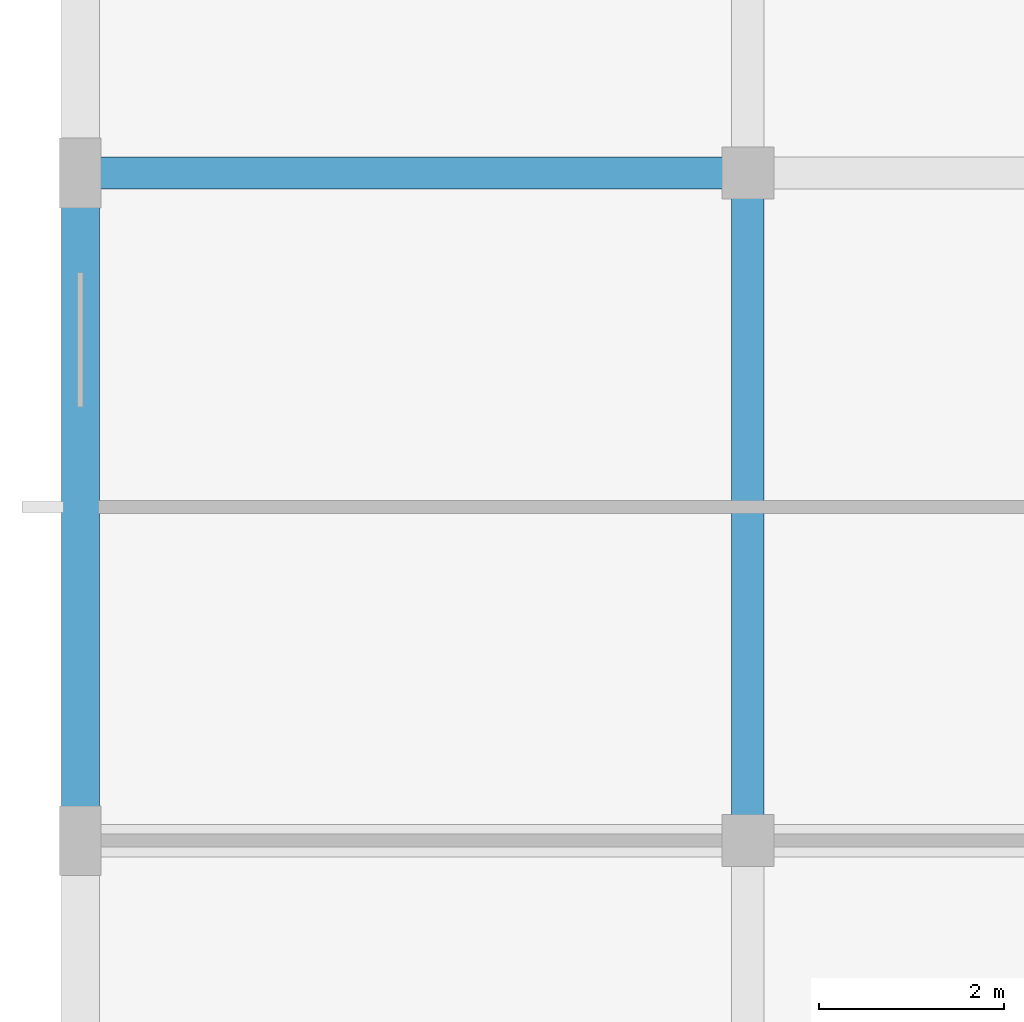
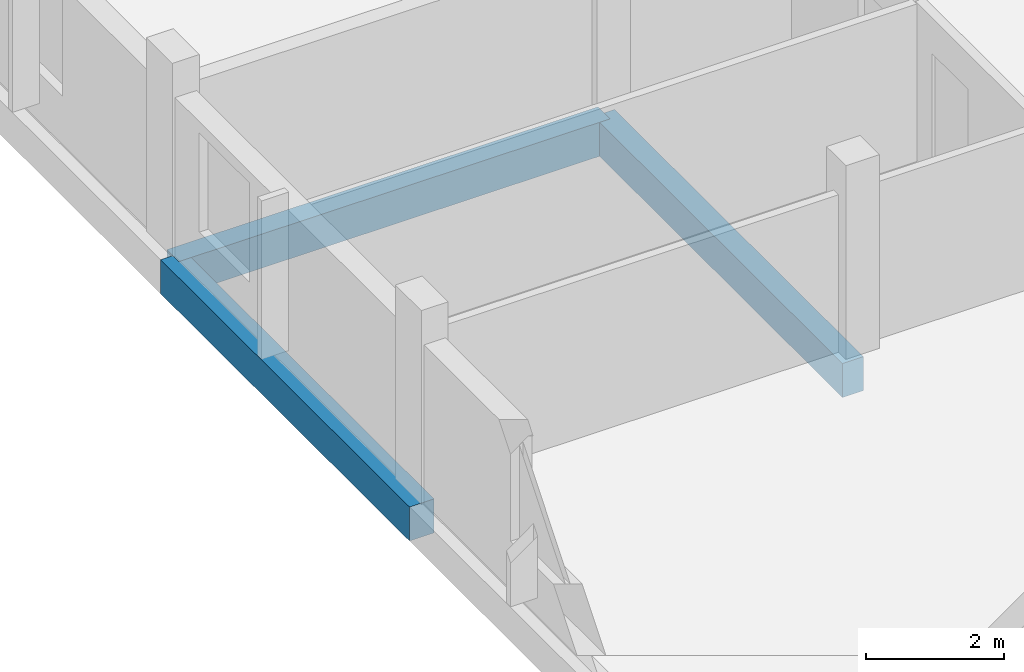
# One storey, part 7 of 66: 3 beams.
"""IFC4 building model written with IfcOpenShell, lengths in metres."""

from ifc_helpers import new_model, si_unit, direction, frame, origin, origin_2d, place, context, subcontext, project, spatial, rectangle, extrude, material, material_profile, profile_set, type_object, element, save


model = new_model("IFC4")

# Units and contexts
model_context = context("Model", 3, precision=1e-05, world=origin(), true_north=direction((0.0, 1.0)))
body_context = subcontext(model_context, "Body", "Model", "MODEL_VIEW")
ifc_project = project(units=[si_unit("LENGTHUNIT", "METRE"), si_unit("AREAUNIT", "SQUARE_METRE"), si_unit("VOLUMEUNIT", "CUBIC_METRE"), si_unit("PLANEANGLEUNIT", "RADIAN"), si_unit("MASSUNIT", "GRAM", prefix="KILO")], contexts=[model_context])

# Site, building, storey
site_placement = place(None, origin())
site = spatial("IfcSite", under=ifc_project, at=site_placement, CompositionType="ELEMENT")
building_placement = place(site_placement, origin())
building = spatial("IfcBuilding", under=site, at=building_placement, Name="Zornivar Specialist Clinic", CompositionType="ELEMENT")
storey_placement = place(building_placement, frame((0.0, 0.0, 16.0)))
storey = spatial("IfcBuildingStorey", under=building, at=storey_placement, Name="L04", CompositionType="ELEMENT", Elevation=16.0)

# Beams
ifc_material_1 = material(Name="Concrete C30/37", Category="concrete")
ifc_material_profile_1 = material_profile(ifc_material_1, rectangle(XDim=0.35009765625, YDim=0.60009765625, at=origin_2d()), Name="RC 350x600")
ifc_profile_set_1 = profile_set([ifc_material_profile_1], Name="Concrete C30/37")
beam_type_1 = type_object("IfcBeamType", Name="BM-RC-350x600", PredefinedType="BEAM", material=ifc_profile_set_1)
beam_1_placement = place(storey_placement, frame((0.0, 21.60009765625, -0.580078125), z_axis=(1.0, 0.0, 0.0), x_axis=(0.0, 1.0, 0.0)))
element("IfcBeam", 1, at=beam_1_placement, inside=storey, type_object=beam_type_1, Name="bm:V2:L04:x:216:0", PredefinedType="BEAM", context=body_context, shape_type="SweptSolid", body=[
    extrude(rectangle(XDim=0.35009765625, YDim=0.60009765625, at=origin_2d()), origin(), (0.0, 0.0, 1.0), 7.199951171875),
])
beam_2_placement = place(storey_placement, frame((7.199951171875, 14.39990234375, -0.580078125), z_axis=(0.0, 1.0, 0.0), x_axis=(-1.0, 0.0, 0.0)))
element("IfcBeam", 2, at=beam_2_placement, inside=storey, type_object=beam_type_1, Name="bm:V2:L04:y:72:2", PredefinedType="BEAM", context=body_context, shape_type="SweptSolid", body=[
    extrude(rectangle(XDim=0.35009765625, YDim=0.60009765625, at=origin_2d()), origin(), (0.0, 0.0, 1.0), 7.2001953125),
])
ifc_material_2 = material(Name="Concrete C30/37", Category="concrete")
ifc_material_profile_2 = material_profile(ifc_material_2, rectangle(XDim=0.409912109375, YDim=0.60009765625, at=origin_2d()), Name="RC 410x600")
ifc_profile_set_2 = profile_set([ifc_material_profile_2], Name="Concrete C30/37")
beam_type_2 = type_object("IfcBeamType", Name="BM-RC-SPANDREL-410x600", PredefinedType="SPANDREL", material=ifc_profile_set_2)
beam_3_placement = place(storey_placement, frame((0.0, 14.39990234375, -0.580078125), z_axis=(0.0, 1.0, 0.0), x_axis=(-1.0, 0.0, 0.0)))
element("IfcBeam", 3, at=beam_3_placement, inside=storey, type_object=beam_type_2, Name="bm:V2:L04:y:0:2", PredefinedType="SPANDREL", context=body_context, shape_type="SweptSolid", body=[
    extrude(rectangle(XDim=0.409912109375, YDim=0.60009765625, at=origin_2d()), origin(), (0.0, 0.0, 1.0), 7.2001953125),
])

save(model, "model.ifc")
